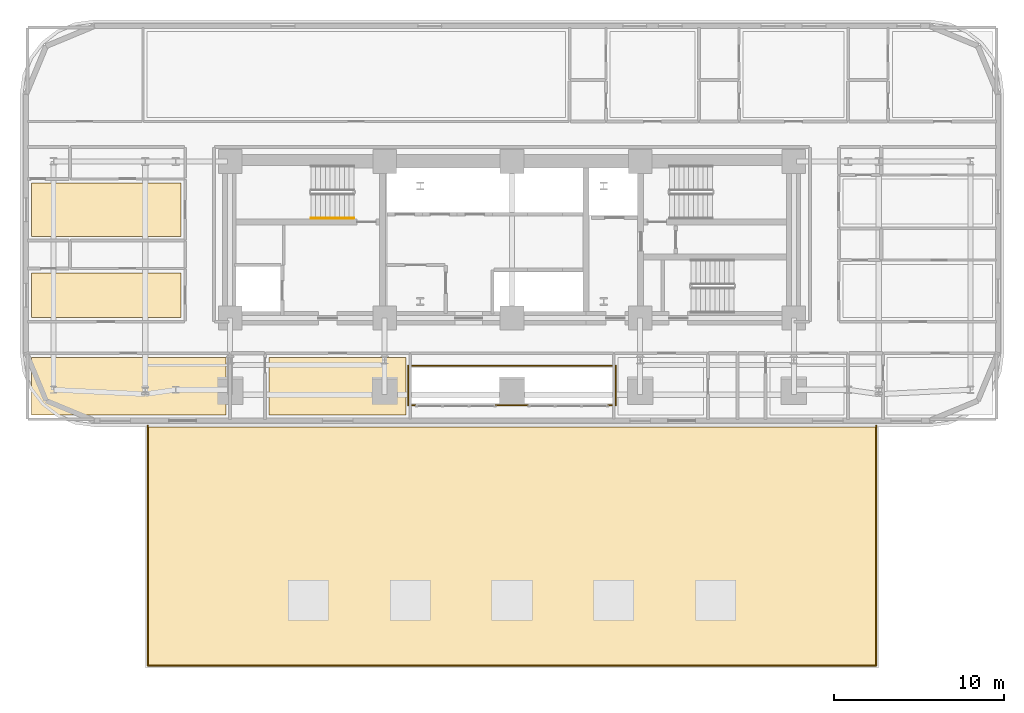
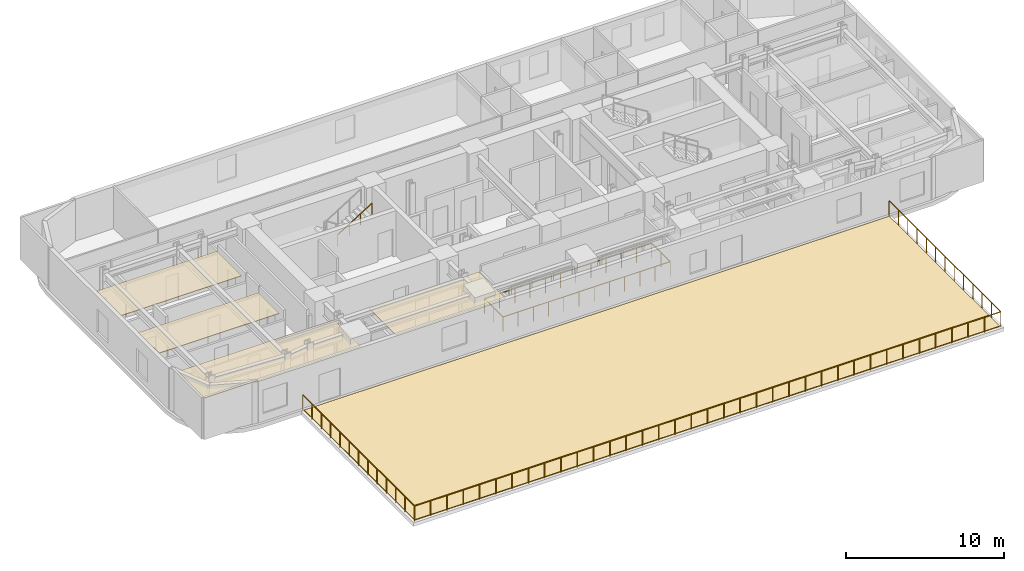
# One storey, part 12 of 15: 5 coverings, 3 railings.
"""IFC4 building model written with IfcOpenShell, lengths in metres."""

from ifc_helpers import new_model, si_unit, direction, frame, origin, origin_2d, place, context, subcontext, project, spatial, polyline, rectangle, outline, extrude, material, layer, layer_set, type_object, element, save


model = new_model("IFC4")

# Units and contexts
model_context = context("Model", 3, precision=1e-05, world=origin(), true_north=direction((0.0, 1.0)))
body_context = subcontext(model_context, "Body", "Model", "MODEL_VIEW")
ifc_project = project(units=[si_unit("LENGTHUNIT", "METRE"), si_unit("AREAUNIT", "SQUARE_METRE"), si_unit("VOLUMEUNIT", "CUBIC_METRE"), si_unit("PLANEANGLEUNIT", "RADIAN"), si_unit("MASSUNIT", "GRAM", prefix="KILO")], contexts=[model_context])

# Site, building, storey
site_placement = place(None, origin())
site = spatial("IfcSite", under=ifc_project, at=site_placement, CompositionType="ELEMENT")
building_placement = place(site_placement, origin())
building = spatial("IfcBuilding", under=site, at=building_placement, Name="Zarnavel Station Tower", CompositionType="ELEMENT")
storey_placement = place(building_placement, frame((0.0, 0.0, 29.0)))
storey = spatial("IfcBuildingStorey", under=building, at=storey_placement, Name="L07", CompositionType="ELEMENT", Elevation=29.0)

# Coverings
ifc_material_1 = material(Name="Perforated Gypsum and Mineral-Wool Acoustic Ceiling", Category="concrete")
ifc_layer_1 = layer(ifc_material_1, 0.0400390625)
ifc_layer_set_1 = layer_set([ifc_layer_1], Name="COV_CEIL_ACOUSTIC")
covering_type_1 = type_object("IfcCoveringType", Name="COV_CEIL_ACOUSTIC", PredefinedType="CEILING", material=ifc_layer_set_1)
covering_1_placement = place(storey_placement, frame((0.0, 0.0, 2.919921875)))
element("IfcCovering", 1, at=covering_1_placement, inside=storey, type_object=covering_type_1, Name="L07 FNW1R Acoustic Ceiling", PredefinedType="CEILING", context=body_context, shape_type="SweptSolid", body=[
    extrude(outline(polyline([(0.510009765625, 27.85009765625), (9.300048828125, 27.85009765625), (9.300048828125, 30.490966796875), (0.510009765625, 30.490966796875), (0.510009765625, 27.85009765625)])), origin(), (0.0, 0.0, 1.0), 0.0400390625),
])
covering_2_placement = place(storey_placement, frame((0.0, 0.0, 2.919921875)))
element("IfcCovering", 2, at=covering_2_placement, inside=storey, type_object=covering_type_1, Name="L07 FNW2R Acoustic Ceiling", PredefinedType="CEILING", context=body_context, shape_type="SweptSolid", body=[
    extrude(outline(polyline([(0.510009765625, 32.64111328125), (9.300048828125, 32.64111328125), (9.300048828125, 35.777099609375), (0.510009765625, 35.777099609375), (0.510009765625, 32.64111328125)])), origin(), (0.0, 0.0, 1.0), 0.0400390625),
])
covering_3_placement = place(storey_placement, frame((0.0, 0.0, 2.919921875)))
element("IfcCovering", 3, at=covering_3_placement, inside=storey, type_object=covering_type_1, Name="L07 L07SPA Acoustic Ceiling", PredefinedType="CEILING", context=body_context, shape_type="SweptSolid", body=[
    extrude(outline(polyline([(0.510009765625, 22.110107421875), (11.949951171875, 22.110107421875), (11.949951171875, 25.5), (0.510009765625, 25.5), (0.510009765625, 22.110107421875)])), origin(), (0.0, 0.0, 1.0), 0.0400390625),
])
covering_4_placement = place(storey_placement, frame((0.0, 0.0, 2.919921875)))
element("IfcCovering", 4, at=covering_4_placement, inside=storey, type_object=covering_type_1, Name="L07 HW1R Acoustic Ceiling", PredefinedType="CEILING", context=body_context, shape_type="SweptSolid", body=[
    extrude(outline(polyline([(14.5, 22.110107421875), (22.550048828125, 22.110107421875), (22.550048828125, 25.5), (14.5, 25.5), (14.5, 22.110107421875)])), origin(), (0.0, 0.0, 1.0), 0.0400390625),
])
ifc_material_2 = material(Name="Liquid-Applied Elastomeric Terrace Waterproofing Membrane", Category="concrete")
ifc_layer_2 = layer(ifc_material_2, 0.06005859375)
ifc_layer_set_2 = layer_set([ifc_layer_2], Name="COV_TER_MEMBRANE")
covering_type_2 = type_object("IfcCoveringType", Name="COV_TER_MEMBRANE", PredefinedType="ROOFING", material=ifc_layer_set_2)
covering_5_placement = place(storey_placement, origin())
element("IfcCovering", 5, at=covering_5_placement, inside=storey, type_object=covering_type_2, Name="L07 Terrace Paving Waterproofing TER-L07-S", PredefinedType="ROOFING", context=body_context, shape_type="SweptSolid", body=[
    extrude(outline(polyline([(7.39990234375, 7.39990234375), (50.199951171875, 7.39990234375), (50.199951171875, 21.39990234375), (7.39990234375, 21.39990234375), (7.39990234375, 7.39990234375)])), origin(), (0.0, 0.0, 1.0), 0.06005859375),
])

# Railings
ifc_material_3 = material(Name="Black Coated Galvanised Steel S355J2 and Laminated Glass", Category="steel")
railing_type_1 = type_object("IfcRailingType", Name="GR_EXT_1200", PredefinedType="GUARDRAIL", material=ifc_material_3)
railing_1_placement = place(storey_placement, frame((7.35009765625, 21.5, 0.0)))
element("IfcRailing", 6, at=railing_1_placement, inside=storey, type_object=railing_type_1, Name="L07 Terrace Perimeter Guard TER-L07-S", PredefinedType="GUARDRAIL", context=body_context, shape_type="SweptSolid", body=[
    extrude(rectangle(XDim=0.048095703125, YDim=0.048095703125, at=origin_2d()), frame((0.0, -0.001953125, 1.17578125), z_axis=(0.0, -1.0, 0.0), x_axis=(1.0, 0.0, 0.0)), (0.0, 0.0, 1.0), 14.14599609375),
    extrude(rectangle(XDim=0.048095703125, YDim=0.048095703125, at=origin_2d()), frame((0.001953125, -14.14990234375, 1.17578125), z_axis=(1.0, 0.0, 0.0), x_axis=(0.0, 1.0, 0.0)), (0.0, 0.0, 1.0), 42.89599609375),
    extrude(rectangle(XDim=0.048095703125, YDim=0.048095703125, at=origin_2d()), frame((42.89990234375, -14.14794921875, 1.17578125), z_axis=(0.0, 1.0, 0.0), x_axis=(-1.0, 0.0, 0.0)), (0.0, 0.0, 1.0), 14.14599609375),
    extrude(rectangle(XDim=0.0419921875, YDim=0.0419921875, at=origin_2d()), origin(), (0.0, 0.0, 1.0), 1.15185546875),
    extrude(rectangle(XDim=0.0419921875, YDim=0.0419921875, at=origin_2d()), frame((0.0, -1.17919921875, 0.0)), (0.0, 0.0, 1.0), 1.15185546875),
    extrude(rectangle(XDim=0.0419921875, YDim=0.0419921875, at=origin_2d()), frame((0.0, -2.3583984375, 0.0)), (0.0, 0.0, 1.0), 1.15185546875),
    extrude(rectangle(XDim=0.0419921875, YDim=0.0419921875, at=origin_2d()), frame((0.0, -3.53759765625, 0.0)), (0.0, 0.0, 1.0), 1.15185546875),
    extrude(rectangle(XDim=0.0419921875, YDim=0.0419921875, at=origin_2d()), frame((0.0, -4.716552734375, 0.0)), (0.0, 0.0, 1.0), 1.15185546875),
    extrude(rectangle(XDim=0.0419921875, YDim=0.0419921875, at=origin_2d()), frame((0.0, -5.895751953125, 0.0)), (0.0, 0.0, 1.0), 1.15185546875),
    extrude(rectangle(XDim=0.0419921875, YDim=0.0419921875, at=origin_2d()), frame((0.0, -7.074951171875, 0.0)), (0.0, 0.0, 1.0), 1.15185546875),
    extrude(rectangle(XDim=0.0419921875, YDim=0.0419921875, at=origin_2d()), frame((0.0, -8.254150390625, 0.0)), (0.0, 0.0, 1.0), 1.15185546875),
    extrude(rectangle(XDim=0.0419921875, YDim=0.0419921875, at=origin_2d()), frame((0.0, -9.433349609375, 0.0)), (0.0, 0.0, 1.0), 1.15185546875),
    extrude(rectangle(XDim=0.0419921875, YDim=0.0419921875, at=origin_2d()), frame((0.0, -10.6123046875, 0.0)), (0.0, 0.0, 1.0), 1.15185546875),
    extrude(rectangle(XDim=0.0419921875, YDim=0.0419921875, at=origin_2d()), frame((0.0, -11.79150390625, 0.0)), (0.0, 0.0, 1.0), 1.15185546875),
    extrude(rectangle(XDim=0.0419921875, YDim=0.0419921875, at=origin_2d()), frame((0.0, -12.970703125, 0.0)), (0.0, 0.0, 1.0), 1.15185546875),
    extrude(rectangle(XDim=0.0419921875, YDim=0.0419921875, at=origin_2d()), frame((0.0, -14.14990234375, 0.0)), (0.0, 0.0, 1.0), 1.15185546875),
    extrude(rectangle(XDim=0.0419921875, YDim=0.0419921875, at=origin_2d()), frame((1.191650390625, -14.14990234375, 0.0)), (0.0, 0.0, 1.0), 1.15185546875),
    extrude(rectangle(XDim=0.0419921875, YDim=0.0419921875, at=origin_2d()), frame((2.38330078125, -14.14990234375, 0.0)), (0.0, 0.0, 1.0), 1.15185546875),
    extrude(rectangle(XDim=0.0419921875, YDim=0.0419921875, at=origin_2d()), frame((3.574951171875, -14.14990234375, 0.0)), (0.0, 0.0, 1.0), 1.15185546875),
    extrude(rectangle(XDim=0.0419921875, YDim=0.0419921875, at=origin_2d()), frame((4.7666015625, -14.14990234375, 0.0)), (0.0, 0.0, 1.0), 1.15185546875),
    extrude(rectangle(XDim=0.0419921875, YDim=0.0419921875, at=origin_2d()), frame((5.958251953125, -14.14990234375, 0.0)), (0.0, 0.0, 1.0), 1.15185546875),
    extrude(rectangle(XDim=0.0419921875, YDim=0.0419921875, at=origin_2d()), frame((7.14990234375, -14.14990234375, 0.0)), (0.0, 0.0, 1.0), 1.15185546875),
    extrude(rectangle(XDim=0.0419921875, YDim=0.0419921875, at=origin_2d()), frame((8.341552734375, -14.14990234375, 0.0)), (0.0, 0.0, 1.0), 1.15185546875),
    extrude(rectangle(XDim=0.0419921875, YDim=0.0419921875, at=origin_2d()), frame((9.533203125, -14.14990234375, 0.0)), (0.0, 0.0, 1.0), 1.15185546875),
    extrude(rectangle(XDim=0.0419921875, YDim=0.0419921875, at=origin_2d()), frame((10.72509765625, -14.14990234375, 0.0)), (0.0, 0.0, 1.0), 1.15185546875),
    extrude(rectangle(XDim=0.0419921875, YDim=0.0419921875, at=origin_2d()), frame((11.916748046875, -14.14990234375, 0.0)), (0.0, 0.0, 1.0), 1.15185546875),
    extrude(rectangle(XDim=0.0419921875, YDim=0.0419921875, at=origin_2d()), frame((13.1083984375, -14.14990234375, 0.0)), (0.0, 0.0, 1.0), 1.15185546875),
    extrude(rectangle(XDim=0.0419921875, YDim=0.0419921875, at=origin_2d()), frame((14.300048828125, -14.14990234375, 0.0)), (0.0, 0.0, 1.0), 1.15185546875),
    extrude(rectangle(XDim=0.0419921875, YDim=0.0419921875, at=origin_2d()), frame((15.49169921875, -14.14990234375, 0.0)), (0.0, 0.0, 1.0), 1.15185546875),
    extrude(rectangle(XDim=0.0419921875, YDim=0.0419921875, at=origin_2d()), frame((16.683349609375, -14.14990234375, 0.0)), (0.0, 0.0, 1.0), 1.15185546875),
    extrude(rectangle(XDim=0.0419921875, YDim=0.0419921875, at=origin_2d()), frame((17.875, -14.14990234375, 0.0)), (0.0, 0.0, 1.0), 1.15185546875),
    extrude(rectangle(XDim=0.0419921875, YDim=0.0419921875, at=origin_2d()), frame((19.066650390625, -14.14990234375, 0.0)), (0.0, 0.0, 1.0), 1.15185546875),
    extrude(rectangle(XDim=0.0419921875, YDim=0.0419921875, at=origin_2d()), frame((20.25830078125, -14.14990234375, 0.0)), (0.0, 0.0, 1.0), 1.15185546875),
    extrude(rectangle(XDim=0.0419921875, YDim=0.0419921875, at=origin_2d()), frame((21.449951171875, -14.14990234375, 0.0)), (0.0, 0.0, 1.0), 1.15185546875),
    extrude(rectangle(XDim=0.0419921875, YDim=0.0419921875, at=origin_2d()), frame((22.6416015625, -14.14990234375, 0.0)), (0.0, 0.0, 1.0), 1.15185546875),
    extrude(rectangle(XDim=0.0419921875, YDim=0.0419921875, at=origin_2d()), frame((23.833251953125, -14.14990234375, 0.0)), (0.0, 0.0, 1.0), 1.15185546875),
    extrude(rectangle(XDim=0.0419921875, YDim=0.0419921875, at=origin_2d()), frame((25.02490234375, -14.14990234375, 0.0)), (0.0, 0.0, 1.0), 1.15185546875),
    extrude(rectangle(XDim=0.0419921875, YDim=0.0419921875, at=origin_2d()), frame((26.216552734375, -14.14990234375, 0.0)), (0.0, 0.0, 1.0), 1.15185546875),
    extrude(rectangle(XDim=0.0419921875, YDim=0.0419921875, at=origin_2d()), frame((27.408203125, -14.14990234375, 0.0)), (0.0, 0.0, 1.0), 1.15185546875),
    extrude(rectangle(XDim=0.0419921875, YDim=0.0419921875, at=origin_2d()), frame((28.599853515625, -14.14990234375, 0.0)), (0.0, 0.0, 1.0), 1.15185546875),
    extrude(rectangle(XDim=0.0419921875, YDim=0.0419921875, at=origin_2d()), frame((29.79150390625, -14.14990234375, 0.0)), (0.0, 0.0, 1.0), 1.15185546875),
    extrude(rectangle(XDim=0.0419921875, YDim=0.0419921875, at=origin_2d()), frame((30.983154296875, -14.14990234375, 0.0)), (0.0, 0.0, 1.0), 1.15185546875),
    extrude(rectangle(XDim=0.0419921875, YDim=0.0419921875, at=origin_2d()), frame((32.1748046875, -14.14990234375, 0.0)), (0.0, 0.0, 1.0), 1.15185546875),
    extrude(rectangle(XDim=0.0419921875, YDim=0.0419921875, at=origin_2d()), frame((33.36669921875, -14.14990234375, 0.0)), (0.0, 0.0, 1.0), 1.15185546875),
    extrude(rectangle(XDim=0.0419921875, YDim=0.0419921875, at=origin_2d()), frame((34.558349609375, -14.14990234375, 0.0)), (0.0, 0.0, 1.0), 1.15185546875),
    extrude(rectangle(XDim=0.0419921875, YDim=0.0419921875, at=origin_2d()), frame((35.75, -14.14990234375, 0.0)), (0.0, 0.0, 1.0), 1.15185546875),
    extrude(rectangle(XDim=0.0419921875, YDim=0.0419921875, at=origin_2d()), frame((36.941650390625, -14.14990234375, 0.0)), (0.0, 0.0, 1.0), 1.15185546875),
    extrude(rectangle(XDim=0.0419921875, YDim=0.0419921875, at=origin_2d()), frame((38.13330078125, -14.14990234375, 0.0)), (0.0, 0.0, 1.0), 1.15185546875),
    extrude(rectangle(XDim=0.0419921875, YDim=0.0419921875, at=origin_2d()), frame((39.324951171875, -14.14990234375, 0.0)), (0.0, 0.0, 1.0), 1.15185546875),
    extrude(rectangle(XDim=0.0419921875, YDim=0.0419921875, at=origin_2d()), frame((40.5166015625, -14.14990234375, 0.0)), (0.0, 0.0, 1.0), 1.15185546875),
    extrude(rectangle(XDim=0.0419921875, YDim=0.0419921875, at=origin_2d()), frame((41.708251953125, -14.14990234375, 0.0)), (0.0, 0.0, 1.0), 1.15185546875),
    extrude(rectangle(XDim=0.0419921875, YDim=0.0419921875, at=origin_2d()), frame((42.89990234375, -14.14990234375, 0.0)), (0.0, 0.0, 1.0), 1.15185546875),
    extrude(rectangle(XDim=0.0419921875, YDim=0.0419921875, at=origin_2d()), frame((42.89990234375, -12.970703125, 0.0)), (0.0, 0.0, 1.0), 1.15185546875),
    extrude(rectangle(XDim=0.0419921875, YDim=0.0419921875, at=origin_2d()), frame((42.89990234375, -11.79150390625, 0.0)), (0.0, 0.0, 1.0), 1.15185546875),
    extrude(rectangle(XDim=0.0419921875, YDim=0.0419921875, at=origin_2d()), frame((42.89990234375, -10.6123046875, 0.0)), (0.0, 0.0, 1.0), 1.15185546875),
    extrude(rectangle(XDim=0.0419921875, YDim=0.0419921875, at=origin_2d()), frame((42.89990234375, -9.433349609375, 0.0)), (0.0, 0.0, 1.0), 1.15185546875),
    extrude(rectangle(XDim=0.0419921875, YDim=0.0419921875, at=origin_2d()), frame((42.89990234375, -8.254150390625, 0.0)), (0.0, 0.0, 1.0), 1.15185546875),
    extrude(rectangle(XDim=0.0419921875, YDim=0.0419921875, at=origin_2d()), frame((42.89990234375, -7.074951171875, 0.0)), (0.0, 0.0, 1.0), 1.15185546875),
    extrude(rectangle(XDim=0.0419921875, YDim=0.0419921875, at=origin_2d()), frame((42.89990234375, -5.895751953125, 0.0)), (0.0, 0.0, 1.0), 1.15185546875),
    extrude(rectangle(XDim=0.0419921875, YDim=0.0419921875, at=origin_2d()), frame((42.89990234375, -4.716552734375, 0.0)), (0.0, 0.0, 1.0), 1.15185546875),
    extrude(rectangle(XDim=0.0419921875, YDim=0.0419921875, at=origin_2d()), frame((42.89990234375, -3.53759765625, 0.0)), (0.0, 0.0, 1.0), 1.15185546875),
    extrude(rectangle(XDim=0.0419921875, YDim=0.0419921875, at=origin_2d()), frame((42.89990234375, -2.3583984375, 0.0)), (0.0, 0.0, 1.0), 1.15185546875),
    extrude(rectangle(XDim=0.0419921875, YDim=0.0419921875, at=origin_2d()), frame((42.89990234375, -1.17919921875, 0.0)), (0.0, 0.0, 1.0), 1.15185546875),
    extrude(rectangle(XDim=0.0419921875, YDim=0.0419921875, at=origin_2d()), frame((42.89990234375, 0.0, 0.0)), (0.0, 0.0, 1.0), 1.15185546875),
])
ifc_material_4 = material(Name="Painted Steel S355J2 Balustrade", Category="steel")
railing_type_2 = type_object("IfcRailingType", Name="GR_INT_1150", PredefinedType="GUARDRAIL", material=ifc_material_4)
railing_2_placement = place(storey_placement, frame((22.679931640625, 22.679931640625, 0.0)))
element("IfcRailing", 7, at=railing_2_placement, inside=storey, type_object=railing_type_2, Name="L07 Atrium Void Guardrail", PredefinedType="GUARDRAIL", context=body_context, shape_type="SweptSolid", body=[
    extrude(rectangle(XDim=0.048095703125, YDim=0.048095703125, at=origin_2d()), frame((0.001953125, 0.0, 1.1259765625), z_axis=(1.0, 0.0, 0.0), x_axis=(0.0, 1.0, 0.0)), (0.0, 0.0, 1.0), 12.236083984375),
    extrude(rectangle(XDim=0.048095703125, YDim=0.048095703125, at=origin_2d()), frame((12.239990234375, 0.001953125, 1.1259765625), z_axis=(0.0, 1.0, 0.0), x_axis=(-1.0, 0.0, 0.0)), (0.0, 0.0, 1.0), 2.336181640625),
    extrude(rectangle(XDim=0.048095703125, YDim=0.048095703125, at=origin_2d()), frame((12.238037109375, 2.340087890625, 1.1259765625), z_axis=(-1.0, 0.0, 0.0), x_axis=(0.0, -1.0, 0.0)), (0.0, 0.0, 1.0), 12.236083984375),
    extrude(rectangle(XDim=0.048095703125, YDim=0.048095703125, at=origin_2d()), frame((0.0, 2.338134765625, 1.1259765625), z_axis=(0.0, -1.0, 0.0), x_axis=(1.0, 0.0, 0.0)), (0.0, 0.0, 1.0), 2.336181640625),
    extrude(rectangle(XDim=0.0419921875, YDim=0.0419921875, at=origin_2d()), origin(), (0.0, 0.0, 1.0), 1.101806640625),
    extrude(rectangle(XDim=0.0419921875, YDim=0.0419921875, at=origin_2d()), frame((1.11279296875, 0.0, 0.0)), (0.0, 0.0, 1.0), 1.101806640625),
    extrude(rectangle(XDim=0.0419921875, YDim=0.0419921875, at=origin_2d()), frame((2.225341796875, 0.0, 0.0)), (0.0, 0.0, 1.0), 1.101806640625),
    extrude(rectangle(XDim=0.0419921875, YDim=0.0419921875, at=origin_2d()), frame((3.338134765625, 0.0, 0.0)), (0.0, 0.0, 1.0), 1.101806640625),
    extrude(rectangle(XDim=0.0419921875, YDim=0.0419921875, at=origin_2d()), frame((4.450927734375, 0.0, 0.0)), (0.0, 0.0, 1.0), 1.101806640625),
    extrude(rectangle(XDim=0.0419921875, YDim=0.0419921875, at=origin_2d()), frame((5.563720703125, 0.0, 0.0)), (0.0, 0.0, 1.0), 1.101806640625),
    extrude(rectangle(XDim=0.0419921875, YDim=0.0419921875, at=origin_2d()), frame((6.67626953125, 0.0, 0.0)), (0.0, 0.0, 1.0), 1.101806640625),
    extrude(rectangle(XDim=0.0419921875, YDim=0.0419921875, at=origin_2d()), frame((7.7890625, 0.0, 0.0)), (0.0, 0.0, 1.0), 1.101806640625),
    extrude(rectangle(XDim=0.0419921875, YDim=0.0419921875, at=origin_2d()), frame((8.90185546875, 0.0, 0.0)), (0.0, 0.0, 1.0), 1.101806640625),
    extrude(rectangle(XDim=0.0419921875, YDim=0.0419921875, at=origin_2d()), frame((10.0146484375, 0.0, 0.0)), (0.0, 0.0, 1.0), 1.101806640625),
    extrude(rectangle(XDim=0.0419921875, YDim=0.0419921875, at=origin_2d()), frame((11.127197265625, 0.0, 0.0)), (0.0, 0.0, 1.0), 1.101806640625),
    extrude(rectangle(XDim=0.0419921875, YDim=0.0419921875, at=origin_2d()), frame((12.239990234375, 0.0, 0.0)), (0.0, 0.0, 1.0), 1.101806640625),
    extrude(rectangle(XDim=0.0419921875, YDim=0.0419921875, at=origin_2d()), frame((12.239990234375, 1.169921875, 0.0)), (0.0, 0.0, 1.0), 1.101806640625),
    extrude(rectangle(XDim=0.0419921875, YDim=0.0419921875, at=origin_2d()), frame((12.239990234375, 2.340087890625, 0.0)), (0.0, 0.0, 1.0), 1.101806640625),
    extrude(rectangle(XDim=0.0419921875, YDim=0.0419921875, at=origin_2d()), frame((11.127197265625, 2.340087890625, 0.0)), (0.0, 0.0, 1.0), 1.101806640625),
    extrude(rectangle(XDim=0.0419921875, YDim=0.0419921875, at=origin_2d()), frame((10.0146484375, 2.340087890625, 0.0)), (0.0, 0.0, 1.0), 1.101806640625),
    extrude(rectangle(XDim=0.0419921875, YDim=0.0419921875, at=origin_2d()), frame((8.90185546875, 2.340087890625, 0.0)), (0.0, 0.0, 1.0), 1.101806640625),
    extrude(rectangle(XDim=0.0419921875, YDim=0.0419921875, at=origin_2d()), frame((7.7890625, 2.340087890625, 0.0)), (0.0, 0.0, 1.0), 1.101806640625),
    extrude(rectangle(XDim=0.0419921875, YDim=0.0419921875, at=origin_2d()), frame((6.67626953125, 2.340087890625, 0.0)), (0.0, 0.0, 1.0), 1.101806640625),
    extrude(rectangle(XDim=0.0419921875, YDim=0.0419921875, at=origin_2d()), frame((5.563720703125, 2.340087890625, 0.0)), (0.0, 0.0, 1.0), 1.101806640625),
    extrude(rectangle(XDim=0.0419921875, YDim=0.0419921875, at=origin_2d()), frame((4.450927734375, 2.340087890625, 0.0)), (0.0, 0.0, 1.0), 1.101806640625),
    extrude(rectangle(XDim=0.0419921875, YDim=0.0419921875, at=origin_2d()), frame((3.338134765625, 2.340087890625, 0.0)), (0.0, 0.0, 1.0), 1.101806640625),
    extrude(rectangle(XDim=0.0419921875, YDim=0.0419921875, at=origin_2d()), frame((2.225341796875, 2.340087890625, 0.0)), (0.0, 0.0, 1.0), 1.101806640625),
    extrude(rectangle(XDim=0.0419921875, YDim=0.0419921875, at=origin_2d()), frame((1.11279296875, 2.340087890625, 0.0)), (0.0, 0.0, 1.0), 1.101806640625),
    extrude(rectangle(XDim=0.0419921875, YDim=0.0419921875, at=origin_2d()), frame((0.0, 2.340087890625, 0.0)), (0.0, 0.0, 1.0), 1.101806640625),
    extrude(rectangle(XDim=0.0419921875, YDim=0.0419921875, at=origin_2d()), frame((0.0, 1.169921875, 0.0)), (0.0, 0.0, 1.0), 1.101806640625),
])
ifc_material_5 = material(Name="Brushed Stainless Steel S355J2 Handrail", Category="steel")
railing_type_3 = type_object("IfcRailingType", Name="HR_STAIR_900", PredefinedType="HANDRAIL", material=ifc_material_5)
railing_3_placement = place(storey_placement, frame((16.9599609375, 33.7099609375, 1.925048828125)))
element("IfcRailing", 8, at=railing_3_placement, inside=storey, type_object=railing_type_3, Name="L07 ST1 stair handrail 2", PredefinedType="HANDRAIL", context=body_context, shape_type="SweptSolid", body=[
    extrude(rectangle(XDim=0.048095703125, YDim=0.048095703125, at=origin_2d()), frame((0.001708984375, 0.0, 0.876953125), z_axis=(0.848007534815, 0.0, 0.529984170421), x_axis=(0.0, 1.0, 0.0)), (0.0, 0.0, 1.0), 2.9677734375),
    extrude(rectangle(XDim=0.0419921875, YDim=0.0419921875, at=origin_2d()), origin(), (0.0, 0.0, 1.0), 0.851806640625),
    extrude(rectangle(XDim=0.0419921875, YDim=0.0419921875, at=origin_2d()), frame((0.840087890625, 0.0, 0.52490234375)), (0.0, 0.0, 1.0), 0.851806640625),
    extrude(rectangle(XDim=0.0419921875, YDim=0.0419921875, at=origin_2d()), frame((1.679931640625, 0.0, 1.050048828125)), (0.0, 0.0, 1.0), 0.851806640625),
    extrude(rectangle(XDim=0.0419921875, YDim=0.0419921875, at=origin_2d()), frame((2.52001953125, 0.0, 1.574951171875)), (0.0, 0.0, 1.0), 0.851806640625),
])

save(model, "model.ifc")
